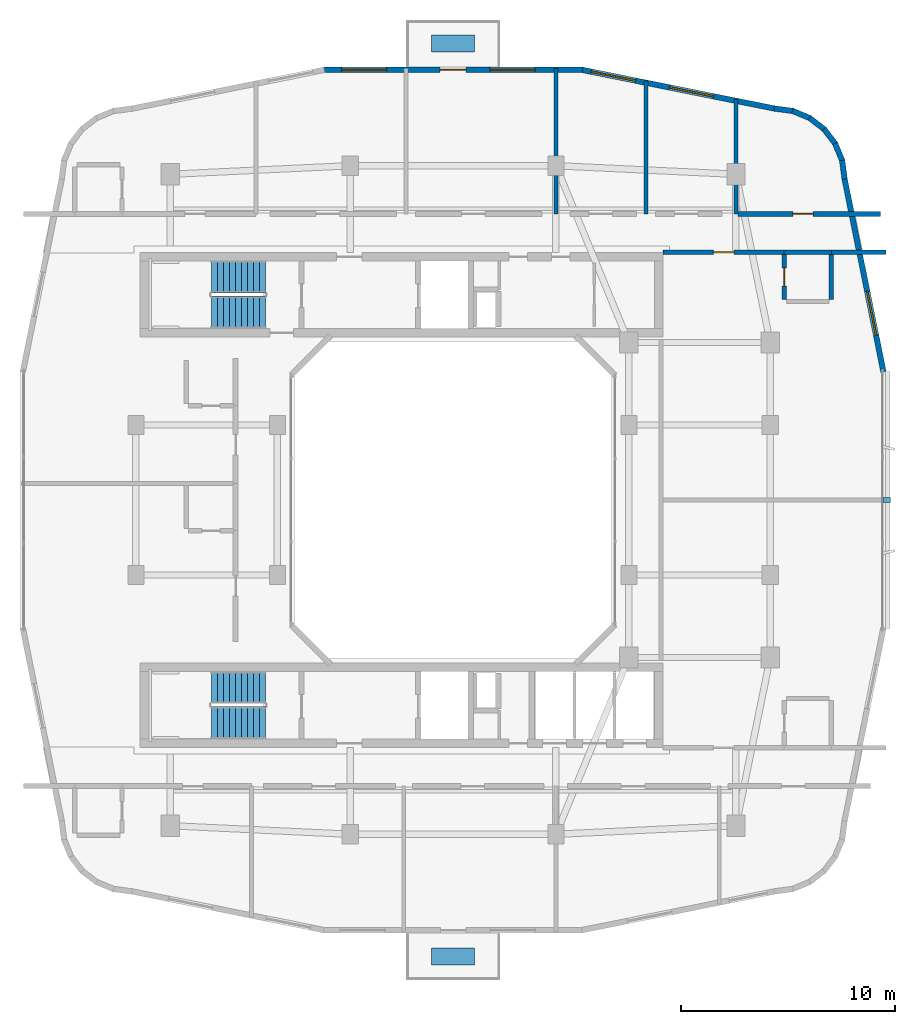
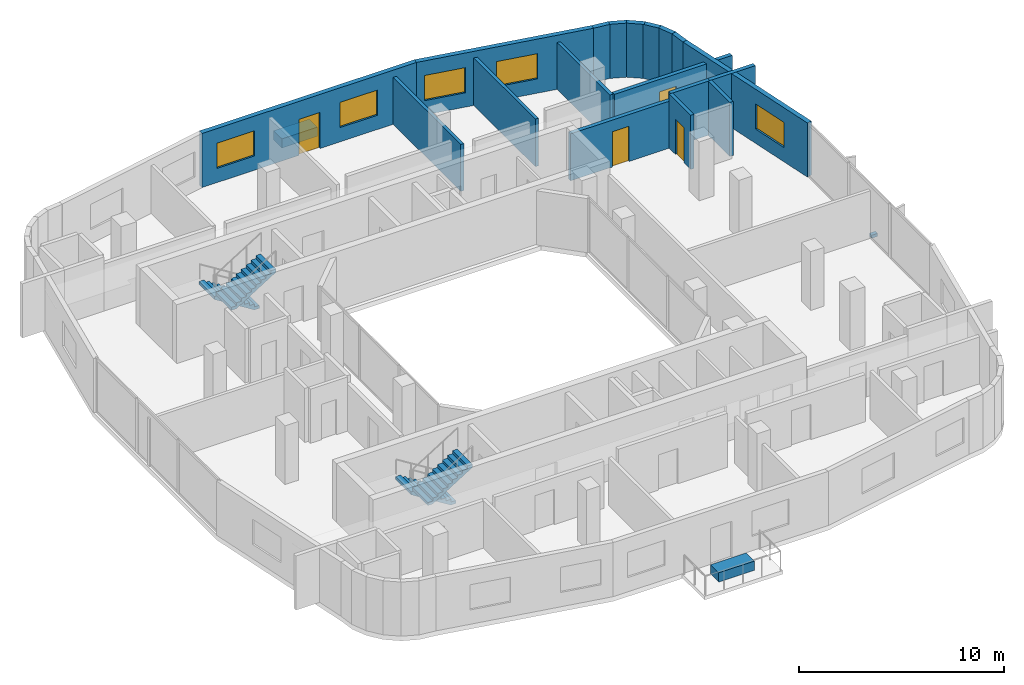
# One storey, part 8 of 12: 18 walls, 5 windows, 4 doors, 4 stair flights, 3 discrete accessories, 9 openings, 2 elements without a shape of their own.
"""IFC4 building model written with IfcOpenShell, lengths in metres."""

from ifc_helpers import new_model, si_unit, derived_unit, direction, frame, frame_2d, origin, origin_2d, place, context, subcontext, project, spatial, polyline, rectangle, outline, extrude, material, layer, layer_set, type_object, element, fill, aggregate, save


model = new_model("IFC4")

# Units and contexts
model_context = context("Model", 3, precision=1e-05, world=origin(), true_north=direction((0.0, 1.0)))
body_context = subcontext(model_context, "Body", "Model", "MODEL_VIEW")
ifc_project = project(units=[si_unit("LENGTHUNIT", "METRE"), si_unit("AREAUNIT", "SQUARE_METRE"), si_unit("VOLUMEUNIT", "CUBIC_METRE"), si_unit("PLANEANGLEUNIT", "RADIAN"), si_unit("MASSUNIT", "GRAM", prefix="KILO"), derived_unit("THERMALTRANSMITTANCEUNIT", [(si_unit("POWERUNIT", "WATT"), 1), (si_unit("LENGTHUNIT", "METRE"), -2), (si_unit("THERMODYNAMICTEMPERATUREUNIT", "KELVIN"), -1)])], contexts=[model_context])

# Site, building, storey
site_placement = place(None, origin())
site = spatial("IfcSite", under=ifc_project, at=site_placement, CompositionType="ELEMENT")
building_placement = place(site_placement, origin())
building = spatial("IfcBuilding", under=site, at=building_placement, Name="Kivonza Crest Hotel", CompositionType="ELEMENT")
storey_placement = place(building_placement, frame((0.0, 0.0, 166.0)))
storey = spatial("IfcBuildingStorey", under=building, at=storey_placement, Name="L45", CompositionType="ELEMENT", Elevation=166.0)

# Walls
ifc_material_1 = material(Name="High-density acoustic masonry inter-tenancy wall", Category="masonry")
ifc_layer_1 = layer(ifc_material_1, 0.179931640625)
ifc_layer_set_1 = layer_set([ifc_layer_1], Name="High-density acoustic masonry inter-tenancy wall")
wall_type_1 = type_object("IfcWallType", Name="WL-ACOU-180", PredefinedType="SOLIDWALL", material=ifc_layer_set_1)
wall_1_placement = place(storey_placement, frame((25.800048828125, 38.35009765625, 0.0), z_axis=(0.0, 0.0, 1.0), x_axis=(0.0, 1.0, 0.0)))
element("IfcWall", 1, at=wall_1_placement, inside=storey, type_object=wall_type_1, Name="L45 interior partition WA-L45-T1N-DIV2", PredefinedType="SOLIDWALL", context=body_context, shape_type="SweptSolid", body=[
    extrude(rectangle(XDim=6.789794921875, YDim=0.179931640625, at=frame_2d((3.39501953125, 0.0))), origin(), (0.0, 0.0, 1.0), 2.794921875),
])
wall_2_placement = place(storey_placement, frame((30.0, 38.35009765625, 0.0), z_axis=(0.0, 0.0, 1.0), x_axis=(0.0, 1.0, 0.0)))
element("IfcWall", 2, at=wall_2_placement, inside=storey, type_object=wall_type_1, Name="L45 interior partition WA-L45-T1N-SPDIV2", PredefinedType="SOLIDWALL", context=body_context, shape_type="SweptSolid", body=[
    extrude(rectangle(XDim=6.197021484375, YDim=0.179931640625, at=frame_2d((3.0986328125, 0.0))), origin(), (0.0, 0.0, 1.0), 2.8349609375),
])
wall_3_placement = place(storey_placement, frame((34.199951171875, 38.35009765625, 0.0), z_axis=(0.0, 0.0, 1.0), x_axis=(0.0, 1.0, 0.0)))
element("IfcWall", 3, at=wall_3_placement, inside=storey, type_object=wall_type_1, Name="L45 interior partition WA-L45-T1N-DIV3", PredefinedType="SOLIDWALL", context=body_context, shape_type="SweptSolid", body=[
    extrude(rectangle(XDim=5.350830078125, YDim=0.179931640625, at=frame_2d((2.67529296875, 0.0))), origin(), (0.0, 0.0, 1.0), 2.794921875),
])

# Wall, opening, door
ifc_material_2 = material(Name="Autoclaved aerated concrete blockwork", Category="masonry")
ifc_layer_2 = layer(ifc_material_2, 0.219970703125)
ifc_layer_set_2 = layer_set([ifc_layer_2], Name="Autoclaved aerated concrete blockwork")
wall_type_2 = type_object("IfcWallType", Name="WL-ACOU-220", PredefinedType="SOLIDWALL", material=ifc_layer_set_2)
wall_4_placement = place(storey_placement, frame((34.300048828125, 38.35009765625, 0.0), z_axis=(0.0, 0.0, 1.0), x_axis=(1.0, 0.0, 0.0)))
wall_4 = element("IfcWall", 4, at=wall_4_placement, inside=storey, type_object=wall_type_2, Name="L45 interior partition WA-L45-N-AMEN-S", PredefinedType="SOLIDWALL", context=body_context, shape_type="SweptSolid", body=[
    extrude(rectangle(XDim=6.639892578125, YDim=0.219970703125, at=frame_2d((3.31982421875, 0.0))), origin(), (0.0, 0.0, 1.0), 2.8349609375),
])
opening_1_placement = place(wall_4_placement, frame((2.550048828125, 0.0, 0.0)))
opening_1 = element("IfcOpeningElement", 5, at=opening_1_placement, cuts=wall_4, Name="Opening DF-60S", PredefinedType="OPENING", context=body_context, shape_type="SweptSolid", body=[
    extrude(rectangle(XDim=0.949951171875, YDim=2.10009765625, at=frame_2d((0.47509765625, 1.050048828125))), frame((0.0, 0.1201171875, 0.0), z_axis=(0.0, -1.0, 0.0), x_axis=(1.0, 0.0, 0.0)), (0.0, 0.0, 1.0), 0.239990234375),
])
ifc_material_3 = material(Name="Hardwood timber oak", Category="wood")
door_type_1 = type_object("IfcDoorType", Name="DR-FD60-950", OperationType="NOTDEFINED", PredefinedType="DOOR", material=ifc_material_3)
door_1_placement = place(opening_1_placement, origin())
door_1 = element("IfcDoor", 6, at=door_1_placement, inside=storey, type_object=door_type_1, Name="L45 Guest Business Office door", OperationType="SINGLE_SWING_LEFT", OverallHeight=2.10009765625, OverallWidth=0.949951171875, PredefinedType="DOOR", context=body_context, shape_type="SweptSolid", body=[
    extrude(rectangle(XDim=0.949951171875, YDim=2.10009765625, at=frame_2d((0.47509765625, 1.050048828125))), frame((0.0, 0.02490234375, 0.0), z_axis=(0.0, -1.0, 0.0), x_axis=(1.0, 0.0, 0.0)), (0.0, 0.0, 1.0), 0.050048828125),
])
fill(opening_1, door_1)

# Walls
wall_5_placement = place(storey_placement, frame((38.64990234375, 36.56005859375, 0.0), z_axis=(0.0, 0.0, 1.0), x_axis=(1.0, 0.0, 0.0)))
element("IfcWall", 7, at=wall_5_placement, inside=storey, type_object=wall_type_2, Name="L45 interior partition WA-L45-EN06-XCORR", PredefinedType="SOLIDWALL", context=body_context, shape_type="SweptSolid", body=[
    extrude(rectangle(XDim=2.550048828125, YDim=0.219970703125, at=frame_2d((1.27490234375, 0.0))), origin(), (0.0, 0.0, 1.0), 3.219970703125),
])
wall_6_placement = place(storey_placement, frame((36.449951171875, 36.56005859375, 0.0), z_axis=(0.0, 0.0, 1.0), x_axis=(1.0, 0.0, 0.0)))
element("IfcWall", 8, at=wall_6_placement, inside=storey, type_object=wall_type_2, Name="L45 interior partition WA-L45-EN06-BCORR", PredefinedType="SOLIDWALL", context=body_context, shape_type="SweptSolid", body=[
    extrude(rectangle(XDim=2.199951171875, YDim=0.219970703125, at=frame_2d((1.10009765625, 0.0))), origin(), (0.0, 0.0, 1.0), 3.219970703125),
])

# Wall, opening, door
wall_7_placement = place(storey_placement, frame((30.800048828125, 36.56005859375, 0.0), z_axis=(0.0, 0.0, 1.0), x_axis=(1.0, 0.0, 0.0)))
wall_7 = element("IfcWall", 9, at=wall_7_placement, inside=storey, type_object=wall_type_2, Name="L45 interior partition WA-L45-EN06-MCORR", PredefinedType="SOLIDWALL", context=body_context, shape_type="SweptSolid", body=[
    extrude(rectangle(XDim=5.64990234375, YDim=0.219970703125, at=frame_2d((2.824951171875, 0.0))), origin(), (0.0, 0.0, 1.0), 2.794921875),
])
opening_2_placement = place(wall_7_placement, frame((2.35009765625, 0.0, 0.0)))
opening_2 = element("IfcOpeningElement", 10, at=opening_2_placement, cuts=wall_7, Name="Opening DU-60", PredefinedType="OPENING", context=body_context, shape_type="SweptSolid", body=[
    extrude(rectangle(XDim=0.949951171875, YDim=2.10009765625, at=frame_2d((0.47509765625, 1.050048828125))), frame((0.0, 0.1201171875, 0.0), z_axis=(0.0, -1.0, 0.0), x_axis=(1.0, 0.0, 0.0)), (0.0, 0.0, 1.0), 0.239990234375),
])
door_type_2 = type_object("IfcDoorType", Name="DR-UNIT-950", OperationType="NOTDEFINED", PredefinedType="DOOR", material=ifc_material_3)
door_2_placement = place(opening_2_placement, frame((0.949951171875, 0.0, 0.0), z_axis=(0.0, 0.0, 1.0), x_axis=(-1.0, 0.0, 0.0)))
door_2 = element("IfcDoor", 11, at=door_2_placement, inside=storey, type_object=door_type_2, Name="L45 EN06 guest unit entrance fire door", OperationType="SINGLE_SWING_LEFT", OverallHeight=2.10009765625, OverallWidth=0.949951171875, PredefinedType="DOOR", context=body_context, shape_type="SweptSolid", body=[
    extrude(rectangle(XDim=0.949951171875, YDim=2.10009765625, at=frame_2d((0.47509765625, 1.050048828125))), frame((0.0, 0.02490234375, 0.0), z_axis=(0.0, -1.0, 0.0), x_axis=(1.0, 0.0, 0.0)), (0.0, 0.0, 1.0), 0.050048828125),
])
fill(opening_2, door_2)

# Wall, opening, window
ifc_material_4 = material(Name="Precast concrete C40/50", Category="concrete")
ifc_layer_3 = layer(ifc_material_4, 0.260009765625)
ifc_layer_set_3 = layer_set([ifc_layer_3], Name="Precast concrete C40/50")
wall_type_3 = type_object("IfcWallType", Name="WL-EXT-260", PredefinedType="STANDARD", material=ifc_layer_set_3)
wall_8_placement = place(storey_placement, frame((41.083984375, 30.97998046875, 0.0), z_axis=(0.0, 0.0, 1.0), x_axis=(-0.197435082048, 0.980315963543, 0.0)))
wall_8 = element("IfcWall", 12, at=wall_8_placement, inside=storey, type_object=wall_type_3, Name="L45 T1 exterior insulated wall 18", PredefinedType="STANDARD", context=body_context, shape_type="SweptSolid", body=[
    extrude(rectangle(XDim=9.1826171875, YDim=0.260009765625, at=frame_2d((4.59130859375, 0.0))), origin(), (0.0, 0.0, 1.0), 3.219970703125),
])
opening_3_placement = place(wall_8_placement, frame((1.73388671875, 0.0, 0.85009765625)))
opening_3 = element("IfcOpeningElement", 13, at=opening_3_placement, cuts=wall_8, Name="Opening WN-04", PredefinedType="OPENING", context=body_context, shape_type="SweptSolid", body=[
    extrude(rectangle(XDim=2.10009765625, YDim=1.5, at=frame_2d((1.050048828125, 0.75))), frame((0.0, 0.14013671875, 0.0), z_axis=(0.0, -1.0, 0.0), x_axis=(1.0, 0.0, 0.0)), (0.0, 0.0, 1.0), 0.280029296875),
])
ifc_material_5 = material(Name="Thermally broken bronze aluminium and low-E double glazing", Category="aluminium")
window_type = type_object("IfcWindowType", Name="WN-210x150", PartitioningType="DOUBLE_PANEL_VERTICAL", PredefinedType="WINDOW", material=ifc_material_5)
window_1_placement = place(opening_3_placement, origin())
window_1 = element("IfcWindow", 14, at=window_1_placement, inside=storey, type_object=window_type, Name="L45 T1 facade window 18", OverallHeight=1.5, OverallWidth=2.10009765625, PartitioningType="SINGLE_PANEL", PredefinedType="WINDOW", context=body_context, shape_type="SweptSolid", body=[
    extrude(rectangle(XDim=2.10009765625, YDim=1.5, at=frame_2d((1.050048828125, 0.75))), frame((0.0, 0.030029296875, 0.0), z_axis=(0.0, -1.0, 0.0), x_axis=(1.0, 0.0, 0.0)), (0.0, 0.0, 1.0), 0.06005859375),
])
fill(opening_3, window_1)

# Walls
wall_9_placement = place(storey_placement, frame((39.27197265625, 39.97509765625, 0.0), z_axis=(0.0, 0.0, 1.0), x_axis=(-0.130953706898, 0.991388484223, 0.0)))
element("IfcWall", 15, at=wall_9_placement, inside=storey, type_object=wall_type_3, Name="L45 T1 exterior insulated wall 19", PredefinedType="STANDARD", context=body_context, shape_type="SweptSolid", body=[
    extrude(rectangle(XDim=0.885498046875, YDim=0.260009765625, at=frame_2d((0.44287109375, 0.0))), origin(), (0.0, 0.0, 1.0), 3.219970703125),
])
wall_10_placement = place(storey_placement, frame((39.174072265625, 40.806884765625, 0.0), z_axis=(0.0, 0.0, 1.0), x_axis=(-0.383290660547, 0.923627776508, 0.0)))
element("IfcWall", 16, at=wall_10_placement, inside=storey, type_object=wall_type_3, Name="L45 T1 exterior insulated wall 20", PredefinedType="STANDARD", context=body_context, shape_type="SweptSolid", body=[
    extrude(rectangle(XDim=0.9033203125, YDim=0.260009765625, at=frame_2d((0.45166015625, 0.0))), origin(), (0.0, 0.0, 1.0), 3.219970703125),
])
wall_11_placement = place(storey_placement, frame((38.85595703125, 41.60107421875, 0.0), z_axis=(0.0, 0.0, 1.0), x_axis=(-0.608624690463, 0.793458244748, 0.0)))
element("IfcWall", 17, at=wall_11_placement, inside=storey, type_object=wall_type_3, Name="L45 T1 exterior insulated wall 21", PredefinedType="STANDARD", context=body_context, shape_type="SweptSolid", body=[
    extrude(rectangle(XDim=0.902099609375, YDim=0.260009765625, at=frame_2d((0.451171875, 0.0))), origin(), (0.0, 0.0, 1.0), 3.219970703125),
])
wall_12_placement = place(storey_placement, frame((38.344970703125, 42.285888671875, 0.0), z_axis=(0.0, 0.0, 1.0), x_axis=(-0.793558456666, 0.608494022858, 0.0)))
element("IfcWall", 18, at=wall_12_placement, inside=storey, type_object=wall_type_3, Name="L45 T1 exterior insulated wall 22", PredefinedType="STANDARD", context=body_context, shape_type="SweptSolid", body=[
    extrude(rectangle(XDim=0.90234375, YDim=0.260009765625, at=frame_2d((0.451171875, 0.0))), origin(), (0.0, 0.0, 1.0), 3.219970703125),
])
wall_13_placement = place(storey_placement, frame((37.673095703125, 42.81396484375, 0.0), z_axis=(0.0, 0.0, 1.0), x_axis=(-0.923683767999, 0.383155708213, 0.0)))
element("IfcWall", 19, at=wall_13_placement, inside=storey, type_object=wall_type_3, Name="L45 T1 exterior insulated wall 23", PredefinedType="STANDARD", context=body_context, shape_type="SweptSolid", body=[
    extrude(rectangle(XDim=0.90283203125, YDim=0.260009765625, at=frame_2d((0.451416015625, 0.0))), origin(), (0.0, 0.0, 1.0), 3.219970703125),
])
wall_14_placement = place(storey_placement, frame((36.887939453125, 43.152099609375, 0.0), z_axis=(0.0, 0.0, 1.0), x_axis=(-0.991487658083, 0.130200706103, 0.0)))
element("IfcWall", 20, at=wall_14_placement, inside=storey, type_object=wall_type_3, Name="L45 T1 exterior insulated wall 24", PredefinedType="STANDARD", context=body_context, shape_type="SweptSolid", body=[
    extrude(rectangle(XDim=0.920654296875, YDim=0.260009765625, at=frame_2d((0.46044921875, 0.0))), origin(), (0.0, 0.0, 1.0), 3.219970703125),
])

# Wall, openings, windows
wall_15_placement = place(storey_placement, frame((35.98193359375, 43.27099609375, 0.0), z_axis=(0.0, 0.0, 1.0), x_axis=(-0.980317172899, 0.197429077186, 0.0)))
wall_15 = element("IfcWall", 21, at=wall_15_placement, inside=storey, type_object=wall_type_3, Name="L45 T1 exterior insulated wall 25", PredefinedType="STANDARD", context=body_context, shape_type="SweptSolid", body=[
    extrude(rectangle(XDim=9.117431640625, YDim=0.260009765625, at=frame_2d((4.55859375, 0.0))), origin(), (0.0, 0.0, 1.0), 3.219970703125),
])
opening_4_placement = place(wall_15_placement, frame((2.885009765625, 0.0, 0.85009765625)))
opening_4 = element("IfcOpeningElement", 22, at=opening_4_placement, cuts=wall_15, Name="Opening WN-04", PredefinedType="OPENING", context=body_context, shape_type="SweptSolid", body=[
    extrude(rectangle(XDim=2.10009765625, YDim=1.5, at=frame_2d((1.050048828125, 0.75))), frame((0.0, 0.14013671875, 0.0), z_axis=(0.0, -1.0, 0.0), x_axis=(1.0, 0.0, 0.0)), (0.0, 0.0, 1.0), 0.280029296875),
])
opening_5_placement = place(wall_15_placement, frame((6.596923828125, 0.0, 0.85009765625)))
opening_5 = element("IfcOpeningElement", 23, at=opening_5_placement, cuts=wall_15, Name="Opening WN-04", PredefinedType="OPENING", context=body_context, shape_type="SweptSolid", body=[
    extrude(rectangle(XDim=2.10009765625, YDim=1.5, at=frame_2d((1.050048828125, 0.75))), frame((0.0, 0.14013671875, 0.0), z_axis=(0.0, -1.0, 0.0), x_axis=(1.0, 0.0, 0.0)), (0.0, 0.0, 1.0), 0.280029296875),
])
window_2_placement = place(opening_4_placement, origin())
window_2 = element("IfcWindow", 24, at=window_2_placement, inside=storey, type_object=window_type, Name="L45 T1 facade window 25 bay 1", OverallHeight=1.5, OverallWidth=2.10009765625, PartitioningType="SINGLE_PANEL", PredefinedType="WINDOW", context=body_context, shape_type="SweptSolid", body=[
    extrude(rectangle(XDim=2.10009765625, YDim=1.5, at=frame_2d((1.050048828125, 0.75))), frame((0.0, 0.030029296875, 0.0), z_axis=(0.0, -1.0, 0.0), x_axis=(1.0, 0.0, 0.0)), (0.0, 0.0, 1.0), 0.06005859375),
])
fill(opening_4, window_2)
window_3_placement = place(opening_5_placement, origin())
window_3 = element("IfcWindow", 25, at=window_3_placement, inside=storey, type_object=window_type, Name="L45 T1 facade window 25 bay 2", OverallHeight=1.5, OverallWidth=2.10009765625, PartitioningType="SINGLE_PANEL", PredefinedType="WINDOW", context=body_context, shape_type="SweptSolid", body=[
    extrude(rectangle(XDim=2.10009765625, YDim=1.5, at=frame_2d((1.050048828125, 0.75))), frame((0.0, 0.030029296875, 0.0), z_axis=(0.0, -1.0, 0.0), x_axis=(1.0, 0.0, 0.0)), (0.0, 0.0, 1.0), 0.06005859375),
])
fill(opening_5, window_3)

# Wall, openings, door, windows
wall_16_placement = place(storey_placement, frame((27.0849609375, 45.070068359375, 0.0), z_axis=(0.0, 0.0, 1.0), x_axis=(-1.0, 0.0, 0.0)))
wall_16 = element("IfcWall", 26, at=wall_16_placement, inside=storey, type_object=wall_type_3, Name="L45 T1 exterior insulated wall 26", PredefinedType="STANDARD", context=body_context, shape_type="SweptSolid", body=[
    extrude(rectangle(XDim=12.135009765625, YDim=0.260009765625, at=frame_2d((6.0673828125, 0.0))), origin(), (0.0, 0.0, 1.0), 3.219970703125),
])
opening_6_placement = place(wall_16_placement, frame((5.485107421875, 0.0, 0.0)))
opening_6 = element("IfcOpeningElement", 27, at=opening_6_placement, cuts=wall_16, Name="Opening DT-120", PredefinedType="OPENING", context=body_context, shape_type="SweptSolid", body=[
    extrude(rectangle(XDim=1.199951171875, YDim=2.14990234375, at=frame_2d((0.60009765625, 1.074951171875))), frame((0.0, 0.14013671875, 0.0), z_axis=(0.0, -1.0, 0.0), x_axis=(1.0, 0.0, 0.0)), (0.0, 0.0, 1.0), 0.280029296875),
])
opening_7_placement = place(wall_16_placement, frame((2.260009765625, 0.0, 0.85009765625)))
opening_7 = element("IfcOpeningElement", 28, at=opening_7_placement, cuts=wall_16, Name="Opening WN-04", PredefinedType="OPENING", context=body_context, shape_type="SweptSolid", body=[
    extrude(rectangle(XDim=2.10009765625, YDim=1.5, at=frame_2d((1.050048828125, 0.75))), frame((0.0, 0.14013671875, 0.0), z_axis=(0.0, -1.0, 0.0), x_axis=(1.0, 0.0, 0.0)), (0.0, 0.0, 1.0), 0.280029296875),
])
opening_8_placement = place(wall_16_placement, frame((9.18994140625, 0.0, 0.85009765625)))
opening_8 = element("IfcOpeningElement", 29, at=opening_8_placement, cuts=wall_16, Name="Opening WN-04", PredefinedType="OPENING", context=body_context, shape_type="SweptSolid", body=[
    extrude(rectangle(XDim=2.10009765625, YDim=1.5, at=frame_2d((1.050048828125, 0.75))), frame((0.0, 0.14013671875, 0.0), z_axis=(0.0, -1.0, 0.0), x_axis=(1.0, 0.0, 0.0)), (0.0, 0.0, 1.0), 0.280029296875),
])
ifc_material_6 = material(Name="Anodised bronze aluminium and laminated safety glass", Category="aluminium")
door_type_3 = type_object("IfcDoorType", Name="DR-TERR-1200", OperationType="NOTDEFINED", PredefinedType="DOOR", material=ifc_material_6)
door_3_placement = place(opening_6_placement, frame((1.199951171875, 0.0, 0.0), z_axis=(0.0, 0.0, 1.0), x_axis=(-1.0, 0.0, 0.0)))
door_3 = element("IfcDoor", 30, at=door_3_placement, inside=storey, type_object=door_type_3, Name="T1 L45 NE sky-garden bridge access door", OperationType="SINGLE_SWING_LEFT", OverallHeight=2.14990234375, OverallWidth=1.199951171875, PredefinedType="DOOR", context=body_context, shape_type="SweptSolid", body=[
    extrude(rectangle(XDim=1.199951171875, YDim=2.14990234375, at=frame_2d((0.60009765625, 1.074951171875))), frame((0.0, 0.02490234375, 0.0), z_axis=(0.0, -1.0, 0.0), x_axis=(1.0, 0.0, 0.0)), (0.0, 0.0, 1.0), 0.050048828125),
])
fill(opening_6, door_3)
window_4_placement = place(opening_7_placement, origin())
window_4 = element("IfcWindow", 31, at=window_4_placement, inside=storey, type_object=window_type, Name="L45 T1 facade window 26 bay 1", OverallHeight=1.5, OverallWidth=2.10009765625, PartitioningType="SINGLE_PANEL", PredefinedType="WINDOW", context=body_context, shape_type="SweptSolid", body=[
    extrude(rectangle(XDim=2.10009765625, YDim=1.5, at=frame_2d((1.050048828125, 0.75))), frame((0.0, 0.030029296875, 0.0), z_axis=(0.0, -1.0, 0.0), x_axis=(1.0, 0.0, 0.0)), (0.0, 0.0, 1.0), 0.06005859375),
])
fill(opening_7, window_4)
window_5_placement = place(opening_8_placement, origin())
window_5 = element("IfcWindow", 32, at=window_5_placement, inside=storey, type_object=window_type, Name="L45 T1 facade window 26 bay 2", OverallHeight=1.5, OverallWidth=2.10009765625, PartitioningType="SINGLE_PANEL", PredefinedType="WINDOW", context=body_context, shape_type="SweptSolid", body=[
    extrude(rectangle(XDim=2.10009765625, YDim=1.5, at=frame_2d((1.050048828125, 0.75))), frame((0.0, 0.030029296875, 0.0), z_axis=(0.0, -1.0, 0.0), x_axis=(1.0, 0.0, 0.0)), (0.0, 0.0, 1.0), 0.06005859375),
])
fill(opening_8, window_5)

# Wall, opening, door
ifc_material_7 = material(Name="Moisture-resistant plumbing chase partition wall", Category="gypsum")
ifc_layer_4 = layer(ifc_material_7, 0.199951171875)
ifc_layer_set_4 = layer_set([ifc_layer_4], Name="Moisture-resistant plumbing chase partition wall")
wall_type_4 = type_object("IfcWallType", Name="WL-PLUMB-200", PredefinedType="PLUMBINGWALL", material=ifc_layer_set_4)
wall_17_placement = place(storey_placement, frame((36.449951171875, 34.360107421875, 0.0), z_axis=(0.0, 0.0, 1.0), x_axis=(0.0, 1.0, 0.0)))
wall_17 = element("IfcWall", 33, at=wall_17_placement, inside=storey, type_object=wall_type_4, Name="L45 interior partition WW-L45-EN06-BV", PredefinedType="PLUMBINGWALL", context=body_context, shape_type="SweptSolid", body=[
    extrude(rectangle(XDim=2.099853515625, YDim=0.199951171875, at=frame_2d((1.0498046875, 0.0))), origin(), (0.0, 0.0, 1.0), 3.219970703125),
])
opening_9_placement = place(wall_17_placement, frame((0.625, 0.0, 0.0)))
opening_9 = element("IfcOpeningElement", 34, at=opening_9_placement, cuts=wall_17, Name="Opening DI-85", PredefinedType="OPENING", context=body_context, shape_type="SweptSolid", body=[
    extrude(rectangle(XDim=0.85009765625, YDim=2.10009765625, at=frame_2d((0.425048828125, 1.050048828125))), frame((0.0, 0.10986328125, 0.0), z_axis=(0.0, -1.0, 0.0), x_axis=(1.0, 0.0, 0.0)), (0.0, 0.0, 1.0), 0.219970703125),
])
door_type_4 = type_object("IfcDoorType", Name="DR-INT-850", OperationType="NOTDEFINED", PredefinedType="DOOR", material=ifc_material_3)
door_4_placement = place(opening_9_placement, origin())
door_4 = element("IfcDoor", 35, at=door_4_placement, inside=storey, type_object=door_type_4, Name="L45 EN06 en-suite bathroom door", OperationType="SINGLE_SWING_RIGHT", OverallHeight=2.10009765625, OverallWidth=0.85009765625, PredefinedType="DOOR", context=body_context, shape_type="SweptSolid", body=[
    extrude(rectangle(XDim=0.85009765625, YDim=2.10009765625, at=frame_2d((0.425048828125, 1.050048828125))), frame((0.0, 0.02490234375, 0.0), z_axis=(0.0, -1.0, 0.0), x_axis=(1.0, 0.0, 0.0)), (0.0, 0.0, 1.0), 0.050048828125),
])
fill(opening_9, door_4)

# Wall
wall_18_placement = place(storey_placement, frame((38.64990234375, 34.360107421875, 0.0), z_axis=(0.0, 0.0, 1.0), x_axis=(0.0, 1.0, 0.0)))
element("IfcWall", 36, at=wall_18_placement, inside=storey, type_object=wall_type_4, Name="L45 interior partition WW-L45-EN06-BVE", PredefinedType="PLUMBINGWALL", context=body_context, shape_type="SweptSolid", body=[
    extrude(rectangle(XDim=2.099853515625, YDim=0.199951171875, at=frame_2d((1.0498046875, 0.0))), origin(), (0.0, 0.0, 1.0), 3.219970703125),
])

# Stair, stair flights
ifc_material_8 = material(Name="Concrete C40/50", Category="concrete")
stair_type = type_object("IfcStairType", Name="ST-DL-20R", PredefinedType="HALF_TURN_STAIR", material=ifc_material_8)
stair_1_placement = place(storey_placement, origin())
stair_1 = element("IfcStair", 37, at=stair_1_placement, inside=storey, type_object=stair_type, Name="L45 Protected Exit Stair ST-T1-N", PredefinedType="HALF_TURN_STAIR")
stair_flight_type = type_object("IfcStairFlightType", Name="SFL-RC-10R", PredefinedType="STRAIGHT", material=ifc_material_8)
stair_flight_1_placement = place(storey_placement, frame((12.239990234375, 35.409912109375, 0.0), z_axis=(0.0, 0.0, 1.0), x_axis=(-1.0, 0.0, 0.0)))
stair_flight_1 = element("IfcStairFlight", 38, at=stair_flight_1_placement, type_object=stair_flight_type, Name="ST-T1-N flight 1", NumberOfRisers=10, NumberOfTreads=9, PredefinedType="STRAIGHT", RiserHeight=0.175, TreadLength=0.28, context=body_context, shape_type="SweptSolid", body=[
    extrude(outline(polyline([(0.0, 0.0), (0.0, 0.175048828125), (0.280029296875, 0.175048828125), (0.280029296875, 0.35009765625), (0.56005859375, 0.35009765625), (0.56005859375, 0.52490234375), (0.840087890625, 0.52490234375), (0.840087890625, 0.699951171875), (1.1201171875, 0.699951171875), (1.1201171875, 0.875), (1.39990234375, 0.875), (1.39990234375, 1.050048828125), (1.679931640625, 1.050048828125), (1.679931640625, 1.22509765625), (1.9599609375, 1.22509765625), (1.9599609375, 1.39990234375), (2.239990234375, 1.39990234375), (2.239990234375, 1.574951171875), (2.52001953125, 1.574951171875), (2.52001953125, 1.75), (2.52001953125, 1.398193359375), (0.28271484375, 0.0), (0.0, 0.0)])), frame((0.0, 0.75, 0.0), z_axis=(0.0, -1.0, 0.0), x_axis=(1.0, 0.0, 0.0)), (0.0, 0.0, 1.0), 1.5),
])
stair_flight_2_placement = place(storey_placement, frame((9.719970703125, 33.77001953125, 1.75), z_axis=(0.0, 0.0, 1.0), x_axis=(1.0, 0.0, 0.0)))
stair_flight_2 = element("IfcStairFlight", 39, at=stair_flight_2_placement, type_object=stair_flight_type, Name="ST-T1-N flight 2", NumberOfRisers=10, NumberOfTreads=9, PredefinedType="STRAIGHT", RiserHeight=0.175, TreadLength=0.28, context=body_context, shape_type="SweptSolid", body=[
    extrude(outline(polyline([(0.0, 0.0), (0.0, 0.175048828125), (0.280029296875, 0.175048828125), (0.280029296875, 0.35009765625), (0.56005859375, 0.35009765625), (0.56005859375, 0.52490234375), (0.840087890625, 0.52490234375), (0.840087890625, 0.699951171875), (1.1201171875, 0.699951171875), (1.1201171875, 0.875), (1.39990234375, 0.875), (1.39990234375, 1.050048828125), (1.679931640625, 1.050048828125), (1.679931640625, 1.22509765625), (1.9599609375, 1.22509765625), (1.9599609375, 1.39990234375), (2.239990234375, 1.39990234375), (2.239990234375, 1.574951171875), (2.52001953125, 1.574951171875), (2.52001953125, 1.75), (2.52001953125, 1.398193359375), (0.28271484375, 0.0), (0.0, 0.0)])), frame((0.0, 0.75, 0.0), z_axis=(0.0, -1.0, 0.0), x_axis=(1.0, 0.0, 0.0)), (0.0, 0.0, 1.0), 1.5),
])
aggregate(stair_1, [stair_flight_1, stair_flight_2])

stair_2_placement = place(storey_placement, origin())
stair_2 = element("IfcStair", 40, at=stair_2_placement, inside=storey, type_object=stair_type, Name="L45 Protected Exit Stair ST-T1-S", PredefinedType="HALF_TURN_STAIR")
stair_flight_3_placement = place(storey_placement, frame((12.239990234375, 16.25, 0.0), z_axis=(0.0, 0.0, 1.0), x_axis=(-1.0, 0.0, 0.0)))
stair_flight_3 = element("IfcStairFlight", 41, at=stair_flight_3_placement, type_object=stair_flight_type, Name="ST-T1-S flight 1", NumberOfRisers=10, NumberOfTreads=9, PredefinedType="STRAIGHT", RiserHeight=0.175, TreadLength=0.28, context=body_context, shape_type="SweptSolid", body=[
    extrude(outline(polyline([(0.0, 0.0), (0.0, 0.175048828125), (0.280029296875, 0.175048828125), (0.280029296875, 0.35009765625), (0.56005859375, 0.35009765625), (0.56005859375, 0.52490234375), (0.840087890625, 0.52490234375), (0.840087890625, 0.699951171875), (1.1201171875, 0.699951171875), (1.1201171875, 0.875), (1.39990234375, 0.875), (1.39990234375, 1.050048828125), (1.679931640625, 1.050048828125), (1.679931640625, 1.22509765625), (1.9599609375, 1.22509765625), (1.9599609375, 1.39990234375), (2.239990234375, 1.39990234375), (2.239990234375, 1.574951171875), (2.52001953125, 1.574951171875), (2.52001953125, 1.75), (2.52001953125, 1.398193359375), (0.28271484375, 0.0), (0.0, 0.0)])), frame((0.0, 0.75, 0.0), z_axis=(0.0, -1.0, 0.0), x_axis=(1.0, 0.0, 0.0)), (0.0, 0.0, 1.0), 1.5),
])
stair_flight_4_placement = place(storey_placement, frame((9.719970703125, 14.610107421875, 1.75), z_axis=(0.0, 0.0, 1.0), x_axis=(1.0, 0.0, 0.0)))
stair_flight_4 = element("IfcStairFlight", 42, at=stair_flight_4_placement, type_object=stair_flight_type, Name="ST-T1-S flight 2", NumberOfRisers=10, NumberOfTreads=9, PredefinedType="STRAIGHT", RiserHeight=0.175, TreadLength=0.28, context=body_context, shape_type="SweptSolid", body=[
    extrude(outline(polyline([(0.0, 0.0), (0.0, 0.175048828125), (0.280029296875, 0.175048828125), (0.280029296875, 0.35009765625), (0.56005859375, 0.35009765625), (0.56005859375, 0.52490234375), (0.840087890625, 0.52490234375), (0.840087890625, 0.699951171875), (1.1201171875, 0.699951171875), (1.1201171875, 0.875), (1.39990234375, 0.875), (1.39990234375, 1.050048828125), (1.679931640625, 1.050048828125), (1.679931640625, 1.22509765625), (1.9599609375, 1.22509765625), (1.9599609375, 1.39990234375), (2.239990234375, 1.39990234375), (2.239990234375, 1.574951171875), (2.52001953125, 1.574951171875), (2.52001953125, 1.75), (2.52001953125, 1.398193359375), (0.28271484375, 0.0), (0.0, 0.0)])), frame((0.0, 0.75, 0.0), z_axis=(0.0, -1.0, 0.0), x_axis=(1.0, 0.0, 0.0)), (0.0, 0.0, 1.0), 1.5),
])
aggregate(stair_2, [stair_flight_3, stair_flight_4])

# Discrete accessories
ifc_material_9 = material(Name="Stainless steel 316", Category="steel")
discrete_accessory_type_1 = type_object("IfcDiscreteAccessoryType", Name="AC-BRACKET-240", PredefinedType="BRACKET", material=ifc_material_9)
discrete_accessory_placement = place(storey_placement, frame((41.239990234375, 25.0, -0.009765625), z_axis=(0.0, 0.0, 1.0), x_axis=(0.0, 1.0, 0.0)))
element("IfcDiscreteAccessory", 43, at=discrete_accessory_placement, inside=storey, type_object=discrete_accessory_type_1, Name="L45 terracotta baguette support bracket CW-T1-L45-17", PredefinedType="BRACKET", context=body_context, shape_type="SweptSolid", body=[
    extrude(rectangle(XDim=0.219970703125, YDim=0.340087890625, at=origin_2d()), origin(), (0.0, 0.0, 1.0), 0.179931640625),
])
ifc_material_10 = material(Name="Precast GRC planter with engineered planting soil", Category="concrete")
discrete_accessory_type_2 = type_object("IfcDiscreteAccessoryType", Name="AC-PLANTER-1800", PredefinedType="USERDEFINED", material=ifc_material_10)
for number, where, z_axis, x_axis, name in (
    (44, (21.0, 3.699951171875, 0.0), (0.0, 0.0, 1.0), (1.0, 0.0, 0.0), "T1 L45 SW sky-garden planter"),
    (45, (21.0, 46.300048828125, 0.0), (0.0, 0.0, 1.0), (1.0, 0.0, 0.0), "T1 L45 NE sky-garden planter"),
):
    element("IfcDiscreteAccessory", number, at=place(storey_placement, frame(where, z_axis=z_axis, x_axis=x_axis)), inside=storey, type_object=discrete_accessory_type_2, Name=name, ObjectType="PLANTER", PredefinedType="USERDEFINED", context=body_context, shape_type="SweptSolid", body=[
        extrude(rectangle(XDim=2.0, YDim=0.800048828125, at=origin_2d()), origin(), (0.0, 0.0, 1.0), 0.550048828125),
    ])

save(model, "model.ifc")
